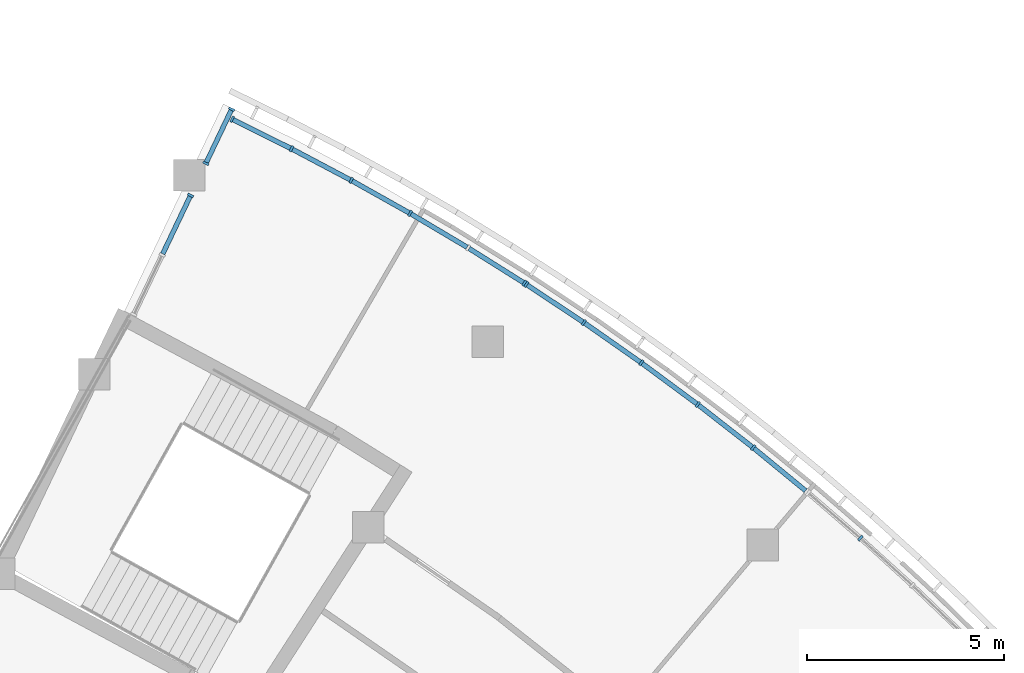
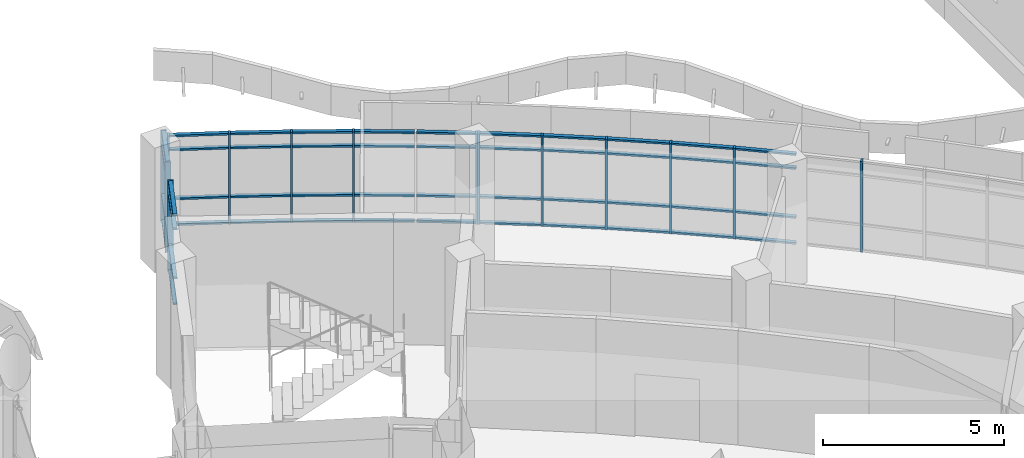
# One storey, part 17 of 109: 62 members, 5 elements without a shape of their own.
"""IFC4 building model written with IfcOpenShell, lengths in metres."""

import ifcopenshell
import ifcopenshell.guid

model = None  # the IFC model being written
_history = None  # IfcOwnerHistory: only IFC2X3 demands one
_inside = {}  # id of a spatial element -> (the spatial element, [elements in it])
_under = {}  # id of a project, library or spatial element -> (it, [spatial elements below it])
_declared = {}  # id of a project -> (the project, [libraries it declares])
_typed = {}  # id of a type object -> (the type object, [elements of that type])
_made_of = {}  # id of a material, layer set ... -> (it, [elements and type objects made of it])


def new_model(schema):
    """Start an empty IFC model of exactly this schema.

    Asked for "IFC4X3", IfcOpenShell would pick the latest addendum, in which some entities
    have other attributes; the version numbers below select the first issue.
    IFC2X3 requires an IfcOwnerHistory on every rooted entity: one is made here for all.
    """
    global model, _history
    if schema == "IFC4X3":
        model = ifcopenshell.file(schema_version=(4, 3, 0, 0))
    else:
        model = ifcopenshell.file(schema=schema)
    _inside.clear()
    _under.clear()
    _declared.clear()
    _typed.clear()
    _made_of.clear()
    _history = None
    if model.schema == "IFC2X3":
        org = make("IfcOrganization", Name="unknown")
        user = make(
            "IfcPersonAndOrganization",
            ThePerson=make("IfcPerson", FamilyName="unknown"),
            TheOrganization=org,
        )
        app = make(
            "IfcApplication",
            ApplicationDeveloper=org,
            Version="unknown",
            ApplicationFullName="unknown",
            ApplicationIdentifier="unknown",
        )
        _history = make(
            "IfcOwnerHistory",
            OwningUser=user,
            OwningApplication=app,
            ChangeAction="ADDED",
            CreationDate=0,
        )
    return model


def make(cls, **values):
    """One entity of the class cls with the attributes given. An attribute that is None is left unset."""
    return model.create_entity(
        cls, **{name: value for name, value in values.items() if value is not None}
    )


def rooted(cls, **values):
    """An entity with a GlobalId (a new one), such as an element, a storey or a relation."""
    return make(cls, GlobalId=ifcopenshell.guid.new(), OwnerHistory=_history, **values)


def si_unit(unit_type, name, prefix=None):
    """IfcSIUnit, for example si_unit("LENGTHUNIT", "METRE", prefix="MILLI")."""
    return make("IfcSIUnit", UnitType=unit_type, Prefix=prefix, Name=name)


def assignment(units):
    """IfcUnitAssignment: the units of a project."""
    return None if units is None else make("IfcUnitAssignment", Units=units)


def point(xyz):
    """IfcCartesianPoint."""
    return None if xyz is None else make("IfcCartesianPoint", Coordinates=xyz)


def direction(xyz):
    """IfcDirection."""
    return None if xyz is None else make("IfcDirection", DirectionRatios=xyz)


def frame(location, z_axis=None, x_axis=None):
    """IfcAxis2Placement3D, a coordinate frame: its origin and axes. An axis left out is left unset."""
    return make(
        "IfcAxis2Placement3D",
        Location=point(location),
        Axis=direction(z_axis),
        RefDirection=direction(x_axis),
    )


def frame_2d(location, x_axis=None):
    """IfcAxis2Placement2D, a coordinate frame in the plane: its origin and x axis."""
    return make(
        "IfcAxis2Placement2D", Location=point(location), RefDirection=direction(x_axis)
    )


def origin():
    """The frame at (0, 0, 0) with its axes left unset."""
    return frame((0.0, 0.0, 0.0))


def origin_2d():
    """The frame at (0, 0) in the plane with its x axis left unset."""
    return frame_2d((0.0, 0.0))


def place(relative_to, where):
    """IfcLocalPlacement: puts the frame where relative to a parent placement (None: the world)."""
    return make(
        "IfcLocalPlacement", PlacementRelTo=relative_to, RelativePlacement=where
    )


def context(
    kind, dimensions, precision=None, world=None, true_north=None, identifier=None
):
    """IfcGeometricRepresentationContext, for example the 3D "Model" context."""
    return make(
        "IfcGeometricRepresentationContext",
        ContextIdentifier=identifier,
        ContextType=kind,
        CoordinateSpaceDimension=dimensions,
        Precision=precision,
        WorldCoordinateSystem=world,
        TrueNorth=true_north,
    )


def subcontext(parent, identifier, kind, view, scale=None):
    """IfcGeometricRepresentationSubContext, for example "Body" below "Model"."""
    return make(
        "IfcGeometricRepresentationSubContext",
        ContextIdentifier=identifier,
        ContextType=kind,
        ParentContext=parent,
        TargetScale=scale,
        TargetView=view,
    )


def project(units=None, contexts=None):
    """IfcProject with its units and contexts."""
    return rooted(
        "IfcProject",
        Name="project",
        RepresentationContexts=contexts,
        UnitsInContext=assignment(units),
    )


def spatial(cls, under=None, at=None, **own):
    """A site, building, storey or space (cls), placed at a placement, below another one or the project."""
    s = rooted(cls, ObjectPlacement=at, **own)
    if under is not None:
        _under.setdefault(under.id(), (under, []))[1].append(s)
    return s


def profile(cls, at=None, kind="AREA", **sizes):
    """A parametric profile (cls). Its sizes go by their IFC names, for example OverallWidth=200.0."""
    return make(cls, ProfileType=kind, Position=at, **sizes)


def rectangle(**sizes):
    """IfcRectangleProfileDef."""
    return profile("IfcRectangleProfileDef", **sizes)


def extrude(swept, where, along, depth):
    """IfcExtrudedAreaSolid: the profile swept, set in the frame where, extruded along a direction by depth."""
    return make(
        "IfcExtrudedAreaSolid",
        SweptArea=swept,
        Position=where,
        ExtrudedDirection=direction(along),
        Depth=depth,
    )


def shape(context_of_items, identifier, shape_type, items):
    """IfcShapeRepresentation: the items that make up one representation, for example the "Body"."""
    return make(
        "IfcShapeRepresentation",
        ContextOfItems=context_of_items,
        RepresentationIdentifier=identifier,
        RepresentationType=shape_type,
        Items=items,
    )


def material(Name=None, Category=None):
    """IfcMaterial."""
    return make("IfcMaterial", Name=Name, Category=Category)


def material_profile(
    of_material, cross_section, Name=None, Category=None, Priority=None
):
    """IfcMaterialProfile: a cross section and its material."""
    return make(
        "IfcMaterialProfile",
        Name=Name,
        Material=of_material,
        Profile=cross_section,
        Priority=Priority,
        Category=Category,
    )


def profile_set(profiles, Name=None, composite=None):
    """IfcMaterialProfileSet."""
    return make(
        "IfcMaterialProfileSet",
        Name=Name,
        MaterialProfiles=profiles,
        CompositeProfile=composite,
    )


def made_of(thing, what):
    """Note that an element or type object is made of a material, layer set ...; save() writes the relation."""
    if what is not None:
        _made_of.setdefault(what.id(), (what, []))[1].append(thing)
    return thing


def type_object(cls, material=None, **own):
    """A type object (cls), such as IfcWallType, which elements share."""
    return made_of(rooted(cls, **own), material)


def element(
    cls,
    number,
    at=None,
    inside=None,
    cuts=None,
    type_object=None,
    material=None,
    context=None,
    identifier="Body",
    shape_type=None,
    held_by="IfcProductDefinitionShape",
    body=None,
    shapes=None,
    **own,
):
    """One element of the class cls, such as IfcWall. Its Tag is "e" and its number.

    at: its placement. inside: the storey or other place that contains it. cuts: it is an
    opening in that element (IfcRelVoidsElement). A single representation is given by context,
    identifier, shape_type and body (its items); several are given by shapes. held_by: the class
    of the entity that holds the representations. save() writes the other relations.
    """
    e = rooted(cls, Tag="e%d" % number, ObjectPlacement=at, **own)
    if body is not None:
        shapes = [shape(context, identifier, shape_type, body)]
    if shapes is not None:
        e.Representation = make(held_by, Representations=shapes)
    if inside is not None:
        _inside.setdefault(inside.id(), (inside, []))[1].append(e)
    if cuts is not None:
        rooted(
            "IfcRelVoidsElement", RelatingBuildingElement=cuts, RelatedOpeningElement=e
        )
    if type_object is not None:
        _typed.setdefault(type_object.id(), (type_object, []))[1].append(e)
    return made_of(e, material)


def aggregate(whole, parts):
    """IfcRelAggregates: a whole, such as a stair, and the parts it consists of."""
    return rooted("IfcRelAggregates", RelatingObject=whole, RelatedObjects=parts)


def save(model, path):
    """Write the relations noted so far, then the file.

    IfcRelAggregates (storeys below a building ...), IfcRelContainedInSpatialStructure (elements
    in a storey), IfcRelDefinesByType, IfcRelAssociatesMaterial and IfcRelDeclares: one each for
    every whole, place, type object, material and project.
    """
    for whole, parts in _under.values():
        aggregate(whole, parts)
    for where, things in _inside.values():
        rooted(
            "IfcRelContainedInSpatialStructure",
            RelatedElements=things,
            RelatingStructure=where,
        )
    for kind, things in _typed.values():
        rooted("IfcRelDefinesByType", RelatedObjects=things, RelatingType=kind)
    for what, things in _made_of.values():
        rooted("IfcRelAssociatesMaterial", RelatedObjects=things, RelatingMaterial=what)
    for by, libraries in _declared.values():
        rooted("IfcRelDeclares", RelatingContext=by, RelatedDefinitions=libraries)
    model.write(path)


model = new_model("IFC4")

# Units and contexts
model_context = context("Model", 3, precision=1e-05, world=origin(), true_north=direction((0.0, 1.0)))
body_context = subcontext(model_context, "Body", "Model", "MODEL_VIEW")
ifc_project = project(units=[si_unit("LENGTHUNIT", "METRE"), si_unit("AREAUNIT", "SQUARE_METRE"), si_unit("VOLUMEUNIT", "CUBIC_METRE"), si_unit("PLANEANGLEUNIT", "RADIAN"), si_unit("MASSUNIT", "GRAM", prefix="KILO")], contexts=[model_context])

# Site, building, storey
site_placement = place(None, origin())
site = spatial("IfcSite", under=ifc_project, at=site_placement, CompositionType="ELEMENT")
building_placement = place(site_placement, origin())
building = spatial("IfcBuilding", under=site, at=building_placement, Name="Bougainvillea Quay General Hospital", CompositionType="ELEMENT")
storey_placement = place(building_placement, frame((0.0, 0.0, 12.60009765625)))
storey = spatial("IfcBuildingStorey", under=building, at=storey_placement, Name="L02", CompositionType="ELEMENT", Elevation=12.60009765625)

# Curtain wall, members
ifc_material_1 = material(Name="Aluminium curtain wall system, powder-coated glazed", Category="aluminium")
curtain_wall_type_1 = type_object("IfcCurtainWallType", Name="Unitised curtain wall CW-2100", PredefinedType="NOTDEFINED", material=ifc_material_1)
curtain_wall_1_placement = place(storey_placement, origin())
curtain_wall_1 = element("IfcCurtainWall", 1, at=curtain_wall_1_placement, inside=storey, type_object=curtain_wall_type_1, Name="CW-E01 a23b0", PredefinedType="NOTDEFINED")
ifc_material_2 = material(Name="Aluminium mullion, powder-coated charcoal", Category="aluminium")
ifc_material_profile_1 = material_profile(ifc_material_2, rectangle(XDim=0.159912109375, YDim=0.06005859375, at=origin_2d()))
ifc_profile_set_1 = profile_set([ifc_material_profile_1], Name="Aluminium mullion, powder-coated charcoal")
member_type_1 = type_object("IfcMemberType", Name="Curtain wall mullion 160x60", PredefinedType="MULLION", material=ifc_profile_set_1)
member_1_placement = place(storey_placement, frame((139.560791015625, 84.795654296875, 0.0), z_axis=(0.0, 0.0, 1.0), x_axis=(0.445913540048, 0.895076038559, 0.0)))
member_1 = element("IfcMember", 2, at=member_1_placement, type_object=member_type_1, Name="CW-E01 mullion 1", PredefinedType="MULLION", context=body_context, shape_type="SweptSolid", body=[
    extrude(rectangle(XDim=0.159912109375, YDim=0.06005859375, at=origin_2d()), origin(), (0.0, 0.0, 1.0), 3.0498046875),
])
member_2_placement = place(storey_placement, frame((141.066650390625, 84.04541015625, 0.0), z_axis=(0.0, 0.0, 1.0), x_axis=(0.456867500117, 0.889534758926, 0.0)))
member_2 = element("IfcMember", 3, at=member_2_placement, type_object=member_type_1, Name="CW-E01 mullion 2", PredefinedType="MULLION", context=body_context, shape_type="SweptSolid", body=[
    extrude(rectangle(XDim=0.159912109375, YDim=0.06005859375, at=origin_2d()), origin(), (0.0, 0.0, 1.0), 3.0498046875),
])
member_3_placement = place(storey_placement, frame((142.580322265625, 83.244384765625, 0.0), z_axis=(0.0, 0.0, 1.0), x_axis=(0.478567236935, 0.878050909534, 0.0)))
member_3 = element("IfcMember", 4, at=member_3_placement, type_object=member_type_1, Name="CW-E01 mullion 3", PredefinedType="MULLION", context=body_context, shape_type="SweptSolid", body=[
    extrude(rectangle(XDim=0.159912109375, YDim=0.06005859375, at=origin_2d()), origin(), (0.0, 0.0, 1.0), 3.0498046875),
])
member_4_placement = place(storey_placement, frame((144.07373046875, 82.406494140625, 0.0), z_axis=(0.0, 0.0, 1.0), x_axis=(0.499978513836, 0.866037808472, 0.0)))
member_4 = element("IfcMember", 5, at=member_4_placement, type_object=member_type_1, Name="CW-E01 mullion 4", PredefinedType="MULLION", context=body_context, shape_type="SweptSolid", body=[
    extrude(rectangle(XDim=0.159912109375, YDim=0.06005859375, at=origin_2d()), origin(), (0.0, 0.0, 1.0), 3.0498046875),
])
member_5_placement = place(storey_placement, frame((146.97119140625, 80.637939453125, 0.0), z_axis=(0.0, 0.0, 1.0), x_axis=(0.531526384812, 0.847041735837, 0.0)))
member_5 = element("IfcMember", 6, at=member_5_placement, type_object=member_type_1, Name="CW-E01 mullion 6", PredefinedType="MULLION", context=body_context, shape_type="SweptSolid", body=[
    extrude(rectangle(XDim=0.159912109375, YDim=0.06005859375, at=origin_2d()), origin(), (0.0, 0.0, 1.0), 3.0498046875),
])

curtain_wall_2_placement = place(storey_placement, origin())
curtain_wall_2 = element("IfcCurtainWall", 7, at=curtain_wall_2_placement, inside=storey, type_object=curtain_wall_type_1, Name="CW-E02 a23b1", PredefinedType="NOTDEFINED")
member_6_placement = place(storey_placement, frame((147.021728515625, 80.60546875, 0.0), z_axis=(0.0, 0.0, 1.0), x_axis=(0.552565563465, 0.833469434396, 0.0)))
member_6 = element("IfcMember", 8, at=member_6_placement, type_object=member_type_1, Name="CW-E02 mullion 1", PredefinedType="MULLION", context=body_context, shape_type="SweptSolid", body=[
    extrude(rectangle(XDim=0.159912109375, YDim=0.06005859375, at=origin_2d()), origin(), (0.0, 0.0, 1.0), 3.0498046875),
])
member_7_placement = place(storey_placement, frame((148.48046875, 79.63818359375, 0.0), z_axis=(0.0, 0.0, 1.0), x_axis=(0.56315688844, 0.826349997884, 0.0)))
member_7 = element("IfcMember", 9, at=member_7_placement, type_object=member_type_1, Name="CW-E02 mullion 2", PredefinedType="MULLION", context=body_context, shape_type="SweptSolid", body=[
    extrude(rectangle(XDim=0.159912109375, YDim=0.06005859375, at=origin_2d()), origin(), (0.0, 0.0, 1.0), 3.0498046875),
])
member_8_placement = place(storey_placement, frame((149.938720703125, 78.616943359375, 0.0), z_axis=(0.0, 0.0, 1.0), x_axis=(0.584062676911, 0.811708561886, 0.0)))
member_8 = element("IfcMember", 10, at=member_8_placement, type_object=member_type_1, Name="CW-E02 mullion 3", PredefinedType="MULLION", context=body_context, shape_type="SweptSolid", body=[
    extrude(rectangle(XDim=0.159912109375, YDim=0.06005859375, at=origin_2d()), origin(), (0.0, 0.0, 1.0), 3.0498046875),
])
member_9_placement = place(storey_placement, frame((151.370361328125, 77.558837890625, 0.0), z_axis=(0.0, 0.0, 1.0), x_axis=(0.604587993148, 0.796538359743, 0.0)))
member_9 = element("IfcMember", 11, at=member_9_placement, type_object=member_type_1, Name="CW-E02 mullion 4", PredefinedType="MULLION", context=body_context, shape_type="SweptSolid", body=[
    extrude(rectangle(XDim=0.159912109375, YDim=0.06005859375, at=origin_2d()), origin(), (0.0, 0.0, 1.0), 3.0498046875),
])
member_10_placement = place(storey_placement, frame((152.7744140625, 76.464599609375, 0.0), z_axis=(0.0, 0.0, 1.0), x_axis=(0.624719466473, 0.780849273682, 0.0)))
member_10 = element("IfcMember", 12, at=member_10_placement, type_object=member_type_1, Name="CW-E02 mullion 5", PredefinedType="MULLION", context=body_context, shape_type="SweptSolid", body=[
    extrude(rectangle(XDim=0.159912109375, YDim=0.06005859375, at=origin_2d()), origin(), (0.0, 0.0, 1.0), 3.0498046875),
])

# Curtain wall, member
curtain_wall_3_placement = place(storey_placement, origin())
curtain_wall_3 = element("IfcCurtainWall", 13, at=curtain_wall_3_placement, inside=storey, type_object=curtain_wall_type_1, Name="CW-E03 a23b2", PredefinedType="NOTDEFINED")
member_11_placement = place(storey_placement, frame((155.496826171875, 74.170166015625, 0.0), z_axis=(0.0, 0.0, 1.0), x_axis=(0.663748693022, 0.747955662129, 0.0)))
member_11 = element("IfcMember", 14, at=member_11_placement, type_object=member_type_1, Name="CW-E03 mullion 2", PredefinedType="MULLION", context=body_context, shape_type="SweptSolid", body=[
    extrude(rectangle(XDim=0.159912109375, YDim=0.06005859375, at=origin_2d()), origin(), (0.0, 0.0, 1.0), 3.0498046875),
])
aggregate(curtain_wall_3, [member_11])

# Curtain wall, members
curtain_wall_type_2 = type_object("IfcCurtainWallType", Name="Unitised curtain wall CW-1580", PredefinedType="NOTDEFINED", material=ifc_material_1)
curtain_wall_4_placement = place(storey_placement, origin())
curtain_wall_4 = element("IfcCurtainWall", 15, at=curtain_wall_4_placement, inside=storey, type_object=curtain_wall_type_2, Name="CW-AE 00", PredefinedType="NOTDEFINED")
member_12_placement = place(storey_placement, frame((139.548828125, 85.04638671875, 0.0), z_axis=(0.0, 0.0, 1.0), x_axis=(0.902576055431, -0.430530445105, 0.0)))
member_12 = element("IfcMember", 16, at=member_12_placement, type_object=member_type_1, Name="CW-AE mullion 1", PredefinedType="MULLION", context=body_context, shape_type="SweptSolid", body=[
    extrude(rectangle(XDim=0.159912109375, YDim=0.06005859375, at=origin_2d()), origin(), (0.0, 0.0, 1.0), 3.0498046875),
])
member_13_placement = place(storey_placement, frame((138.894287109375, 83.674560546875, 0.0), z_axis=(0.0, 0.0, 1.0), x_axis=(0.902576055431, -0.430530445105, 0.0)))
member_13 = element("IfcMember", 17, at=member_13_placement, type_object=member_type_1, Name="CW-AE mullion 2", PredefinedType="MULLION", context=body_context, shape_type="SweptSolid", body=[
    extrude(rectangle(XDim=0.159912109375, YDim=0.06005859375, at=origin_2d()), origin(), (0.0, 0.0, 1.0), 3.0498046875),
])

# Curtain wall, member
curtain_wall_type_3 = type_object("IfcCurtainWallType", Name="Unitised curtain wall CW-1703", PredefinedType="NOTDEFINED", material=ifc_material_1)
curtain_wall_5_placement = place(storey_placement, origin())
curtain_wall_5 = element("IfcCurtainWall", 18, at=curtain_wall_5_placement, inside=storey, type_object=curtain_wall_type_3, Name="CW-AE 01", PredefinedType="NOTDEFINED")
member_14_placement = place(storey_placement, frame((138.5068359375, 82.8623046875, 0.0), z_axis=(0.0, 0.0, 1.0), x_axis=(0.902576055431, -0.430530445105, 0.0)))
member_14 = element("IfcMember", 19, at=member_14_placement, type_object=member_type_1, Name="CW-AE mullion 1", PredefinedType="MULLION", context=body_context, shape_type="SweptSolid", body=[
    extrude(rectangle(XDim=0.159912109375, YDim=0.06005859375, at=origin_2d()), origin(), (0.0, 0.0, 1.0), 3.0498046875),
])

# Member
ifc_material_3 = material(Name="Aluminium transom, powder-coated charcoal", Category="aluminium")
ifc_material_profile_2 = material_profile(ifc_material_3, rectangle(XDim=0.1201171875, YDim=0.06005859375, at=origin_2d()))
ifc_profile_set_2 = profile_set([ifc_material_profile_2], Name="Aluminium transom, powder-coated charcoal")
member_type_2 = type_object("IfcMemberType", Name="Curtain wall transom 120x60", PredefinedType="USERDEFINED", material=ifc_profile_set_2)
member_15_placement = place(storey_placement, frame((139.587646484375, 84.7822265625, 0.02978515625), z_axis=(0.89508834729, -0.445888832048, 0.0), x_axis=(0.445888832048, 0.89508834729, 0.0)))
member_15 = element("IfcMember", 20, at=member_15_placement, type_object=member_type_2, Name="CW-E01 transom 1.1", ObjectType="TRANSOM", PredefinedType="USERDEFINED", context=body_context, shape_type="SweptSolid", body=[
    extrude(rectangle(XDim=0.1201171875, YDim=0.06005859375, at=origin_2d()), origin(), (0.0, 0.0, 1.0), 1.622314453125),
])

member_16_placement = place(storey_placement, frame((139.587646484375, 84.7822265625, 0.89990234375), z_axis=(0.89508834729, -0.445888832048, 0.0), x_axis=(0.445888832048, 0.89508834729, 0.0)))
member_16 = element("IfcMember", 21, at=member_16_placement, type_object=member_type_2, Name="CW-E01 transom 1.2", ObjectType="TRANSOM", PredefinedType="USERDEFINED", context=body_context, shape_type="SweptSolid", body=[
    extrude(rectangle(XDim=0.1201171875, YDim=0.06005859375, at=origin_2d()), origin(), (0.0, 0.0, 1.0), 1.622314453125),
])

member_17_placement = place(storey_placement, frame((139.587646484375, 84.7822265625, 2.5498046875), z_axis=(0.89508834729, -0.445888832048, 0.0), x_axis=(0.445888832048, 0.89508834729, 0.0)))
member_17 = element("IfcMember", 22, at=member_17_placement, type_object=member_type_2, Name="CW-E01 transom 1.3", ObjectType="TRANSOM", PredefinedType="USERDEFINED", context=body_context, shape_type="SweptSolid", body=[
    extrude(rectangle(XDim=0.1201171875, YDim=0.06005859375, at=origin_2d()), origin(), (0.0, 0.0, 1.0), 1.622314453125),
])

member_18_placement = place(storey_placement, frame((139.587646484375, 84.7822265625, 3.02001953125), z_axis=(0.89508834729, -0.445888832048, 0.0), x_axis=(0.445888832048, 0.89508834729, 0.0)))
member_18 = element("IfcMember", 23, at=member_18_placement, type_object=member_type_2, Name="CW-E01 transom 1.4", ObjectType="TRANSOM", PredefinedType="USERDEFINED", context=body_context, shape_type="SweptSolid", body=[
    extrude(rectangle(XDim=0.1201171875, YDim=0.06005859375, at=origin_2d()), origin(), (0.0, 0.0, 1.0), 1.622314453125),
])

member_19_placement = place(storey_placement, frame((141.09326171875, 84.031494140625, 0.02978515625), z_axis=(0.883845412695, -0.467779100066, 0.0), x_axis=(0.467779100066, 0.883845412695, 0.0)))
member_19 = element("IfcMember", 24, at=member_19_placement, type_object=member_type_2, Name="CW-E01 transom 2.1", ObjectType="TRANSOM", PredefinedType="USERDEFINED", context=body_context, shape_type="SweptSolid", body=[
    extrude(rectangle(XDim=0.1201171875, YDim=0.06005859375, at=origin_2d()), origin(), (0.0, 0.0, 1.0), 1.65234375),
])

member_20_placement = place(storey_placement, frame((141.09326171875, 84.031494140625, 0.89990234375), z_axis=(0.883845412695, -0.467779100066, 0.0), x_axis=(0.467779100066, 0.883845412695, 0.0)))
member_20 = element("IfcMember", 25, at=member_20_placement, type_object=member_type_2, Name="CW-E01 transom 2.2", ObjectType="TRANSOM", PredefinedType="USERDEFINED", context=body_context, shape_type="SweptSolid", body=[
    extrude(rectangle(XDim=0.1201171875, YDim=0.06005859375, at=origin_2d()), origin(), (0.0, 0.0, 1.0), 1.65234375),
])

member_21_placement = place(storey_placement, frame((141.09326171875, 84.031494140625, 2.5498046875), z_axis=(0.883845412695, -0.467779100066, 0.0), x_axis=(0.467779100066, 0.883845412695, 0.0)))
member_21 = element("IfcMember", 26, at=member_21_placement, type_object=member_type_2, Name="CW-E01 transom 2.3", ObjectType="TRANSOM", PredefinedType="USERDEFINED", context=body_context, shape_type="SweptSolid", body=[
    extrude(rectangle(XDim=0.1201171875, YDim=0.06005859375, at=origin_2d()), origin(), (0.0, 0.0, 1.0), 1.65234375),
])

member_22_placement = place(storey_placement, frame((141.09326171875, 84.031494140625, 3.02001953125), z_axis=(0.883845412695, -0.467779100066, 0.0), x_axis=(0.467779100066, 0.883845412695, 0.0)))
member_22 = element("IfcMember", 27, at=member_22_placement, type_object=member_type_2, Name="CW-E01 transom 2.4", ObjectType="TRANSOM", PredefinedType="USERDEFINED", context=body_context, shape_type="SweptSolid", body=[
    extrude(rectangle(XDim=0.1201171875, YDim=0.06005859375, at=origin_2d()), origin(), (0.0, 0.0, 1.0), 1.65234375),
])

member_23_placement = place(storey_placement, frame((142.6064453125, 83.229736328125, 0.02978515625), z_axis=(0.872107674889, -0.489314013084, 0.0), x_axis=(0.489314013084, 0.872107674889, 0.0)))
member_23 = element("IfcMember", 28, at=member_23_placement, type_object=member_type_2, Name="CW-E01 transom 3.1", ObjectType="TRANSOM", PredefinedType="USERDEFINED", context=body_context, shape_type="SweptSolid", body=[
    extrude(rectangle(XDim=0.1201171875, YDim=0.06005859375, at=origin_2d()), origin(), (0.0, 0.0, 1.0), 1.652587890625),
])

member_24_placement = place(storey_placement, frame((142.6064453125, 83.229736328125, 0.89990234375), z_axis=(0.872107674889, -0.489314013084, 0.0), x_axis=(0.489314013084, 0.872107674889, 0.0)))
member_24 = element("IfcMember", 29, at=member_24_placement, type_object=member_type_2, Name="CW-E01 transom 3.2", ObjectType="TRANSOM", PredefinedType="USERDEFINED", context=body_context, shape_type="SweptSolid", body=[
    extrude(rectangle(XDim=0.1201171875, YDim=0.06005859375, at=origin_2d()), origin(), (0.0, 0.0, 1.0), 1.652587890625),
])

member_25_placement = place(storey_placement, frame((142.6064453125, 83.229736328125, 2.5498046875), z_axis=(0.872107674889, -0.489314013084, 0.0), x_axis=(0.489314013084, 0.872107674889, 0.0)))
member_25 = element("IfcMember", 30, at=member_25_placement, type_object=member_type_2, Name="CW-E01 transom 3.3", ObjectType="TRANSOM", PredefinedType="USERDEFINED", context=body_context, shape_type="SweptSolid", body=[
    extrude(rectangle(XDim=0.1201171875, YDim=0.06005859375, at=origin_2d()), origin(), (0.0, 0.0, 1.0), 1.652587890625),
])

member_26_placement = place(storey_placement, frame((142.6064453125, 83.229736328125, 3.02001953125), z_axis=(0.872107674889, -0.489314013084, 0.0), x_axis=(0.489314013084, 0.872107674889, 0.0)))
member_26 = element("IfcMember", 31, at=member_26_placement, type_object=member_type_2, Name="CW-E01 transom 3.4", ObjectType="TRANSOM", PredefinedType="USERDEFINED", context=body_context, shape_type="SweptSolid", body=[
    extrude(rectangle(XDim=0.1201171875, YDim=0.06005859375, at=origin_2d()), origin(), (0.0, 0.0, 1.0), 1.652587890625),
])

member_27_placement = place(storey_placement, frame((144.099609375, 82.39111328125, 0.02978515625), z_axis=(0.859856770964, -0.510535340038, 0.0), x_axis=(0.510535340038, 0.859856770964, 0.0)))
member_27 = element("IfcMember", 32, at=member_27_placement, type_object=member_type_2, Name="CW-E01 transom 4.1", ObjectType="TRANSOM", PredefinedType="USERDEFINED", context=body_context, shape_type="SweptSolid", body=[
    extrude(rectangle(XDim=0.1201171875, YDim=0.06005859375, at=origin_2d()), origin(), (0.0, 0.0, 1.0), 1.652099609375),
])

member_28_placement = place(storey_placement, frame((144.099609375, 82.39111328125, 0.89990234375), z_axis=(0.859856770964, -0.510535340038, 0.0), x_axis=(0.510535340038, 0.859856770964, 0.0)))
member_28 = element("IfcMember", 33, at=member_28_placement, type_object=member_type_2, Name="CW-E01 transom 4.2", ObjectType="TRANSOM", PredefinedType="USERDEFINED", context=body_context, shape_type="SweptSolid", body=[
    extrude(rectangle(XDim=0.1201171875, YDim=0.06005859375, at=origin_2d()), origin(), (0.0, 0.0, 1.0), 1.652099609375),
])

member_29_placement = place(storey_placement, frame((144.099609375, 82.39111328125, 2.5498046875), z_axis=(0.859856770964, -0.510535340038, 0.0), x_axis=(0.510535340038, 0.859856770964, 0.0)))
member_29 = element("IfcMember", 34, at=member_29_placement, type_object=member_type_2, Name="CW-E01 transom 4.3", ObjectType="TRANSOM", PredefinedType="USERDEFINED", context=body_context, shape_type="SweptSolid", body=[
    extrude(rectangle(XDim=0.1201171875, YDim=0.06005859375, at=origin_2d()), origin(), (0.0, 0.0, 1.0), 1.652099609375),
])

member_30_placement = place(storey_placement, frame((144.099609375, 82.39111328125, 3.02001953125), z_axis=(0.859856770964, -0.510535340038, 0.0), x_axis=(0.510535340038, 0.859856770964, 0.0)))
member_30 = element("IfcMember", 35, at=member_30_placement, type_object=member_type_2, Name="CW-E01 transom 4.4", ObjectType="TRANSOM", PredefinedType="USERDEFINED", context=body_context, shape_type="SweptSolid", body=[
    extrude(rectangle(XDim=0.1201171875, YDim=0.06005859375, at=origin_2d()), origin(), (0.0, 0.0, 1.0), 1.652099609375),
])

member_31_placement = place(storey_placement, frame((145.571533203125, 81.516357421875, 0.02978515625), z_axis=(0.846990831141, -0.531607498032, 0.0), x_axis=(0.531607498032, 0.846990831141, 0.0)))
member_31 = element("IfcMember", 36, at=member_31_placement, type_object=member_type_2, Name="CW-E01 transom 5.1", ObjectType="TRANSOM", PredefinedType="USERDEFINED", context=body_context, shape_type="SweptSolid", body=[
    extrude(rectangle(XDim=0.1201171875, YDim=0.06005859375, at=origin_2d()), origin(), (0.0, 0.0, 1.0), 1.62255859375),
])

member_32_placement = place(storey_placement, frame((145.571533203125, 81.516357421875, 0.89990234375), z_axis=(0.846990831141, -0.531607498032, 0.0), x_axis=(0.531607498032, 0.846990831141, 0.0)))
member_32 = element("IfcMember", 37, at=member_32_placement, type_object=member_type_2, Name="CW-E01 transom 5.2", ObjectType="TRANSOM", PredefinedType="USERDEFINED", context=body_context, shape_type="SweptSolid", body=[
    extrude(rectangle(XDim=0.1201171875, YDim=0.06005859375, at=origin_2d()), origin(), (0.0, 0.0, 1.0), 1.62255859375),
])

member_33_placement = place(storey_placement, frame((145.571533203125, 81.516357421875, 2.5498046875), z_axis=(0.846990831141, -0.531607498032, 0.0), x_axis=(0.531607498032, 0.846990831141, 0.0)))
member_33 = element("IfcMember", 38, at=member_33_placement, type_object=member_type_2, Name="CW-E01 transom 5.3", ObjectType="TRANSOM", PredefinedType="USERDEFINED", context=body_context, shape_type="SweptSolid", body=[
    extrude(rectangle(XDim=0.1201171875, YDim=0.06005859375, at=origin_2d()), origin(), (0.0, 0.0, 1.0), 1.62255859375),
])

member_34_placement = place(storey_placement, frame((145.571533203125, 81.516357421875, 3.02001953125), z_axis=(0.846990831141, -0.531607498032, 0.0), x_axis=(0.531607498032, 0.846990831141, 0.0)))
member_34 = element("IfcMember", 39, at=member_34_placement, type_object=member_type_2, Name="CW-E01 transom 5.4", ObjectType="TRANSOM", PredefinedType="USERDEFINED", context=body_context, shape_type="SweptSolid", body=[
    extrude(rectangle(XDim=0.1201171875, YDim=0.06005859375, at=origin_2d()), origin(), (0.0, 0.0, 1.0), 1.62255859375),
])

aggregate(curtain_wall_1, [member_1, member_2, member_3, member_4, member_5, member_15, member_16, member_17, member_18, member_19, member_20, member_21, member_22, member_23, member_24, member_25, member_26, member_27, member_28, member_29, member_30, member_31, member_32, member_33, member_34])

member_35_placement = place(storey_placement, frame((147.046630859375, 80.5888671875, 0.02978515625), z_axis=(0.833469578901, -0.552565345499, 0.0), x_axis=(0.552565345499, 0.833469578901, 0.0)))
member_35 = element("IfcMember", 40, at=member_35_placement, type_object=member_type_2, Name="CW-E02 transom 1.1", ObjectType="TRANSOM", PredefinedType="USERDEFINED", context=body_context, shape_type="SweptSolid", body=[
    extrude(rectangle(XDim=0.1201171875, YDim=0.06005859375, at=origin_2d()), origin(), (0.0, 0.0, 1.0), 1.6904296875),
])

member_36_placement = place(storey_placement, frame((147.046630859375, 80.5888671875, 0.89990234375), z_axis=(0.833469578901, -0.552565345499, 0.0), x_axis=(0.552565345499, 0.833469578901, 0.0)))
member_36 = element("IfcMember", 41, at=member_36_placement, type_object=member_type_2, Name="CW-E02 transom 1.2", ObjectType="TRANSOM", PredefinedType="USERDEFINED", context=body_context, shape_type="SweptSolid", body=[
    extrude(rectangle(XDim=0.1201171875, YDim=0.06005859375, at=origin_2d()), origin(), (0.0, 0.0, 1.0), 1.6904296875),
])

member_37_placement = place(storey_placement, frame((147.046630859375, 80.5888671875, 2.5498046875), z_axis=(0.833469578901, -0.552565345499, 0.0), x_axis=(0.552565345499, 0.833469578901, 0.0)))
member_37 = element("IfcMember", 42, at=member_37_placement, type_object=member_type_2, Name="CW-E02 transom 1.3", ObjectType="TRANSOM", PredefinedType="USERDEFINED", context=body_context, shape_type="SweptSolid", body=[
    extrude(rectangle(XDim=0.1201171875, YDim=0.06005859375, at=origin_2d()), origin(), (0.0, 0.0, 1.0), 1.6904296875),
])

member_38_placement = place(storey_placement, frame((147.046630859375, 80.5888671875, 3.02001953125), z_axis=(0.833469578901, -0.552565345499, 0.0), x_axis=(0.552565345499, 0.833469578901, 0.0)))
member_38 = element("IfcMember", 43, at=member_38_placement, type_object=member_type_2, Name="CW-E02 transom 1.4", ObjectType="TRANSOM", PredefinedType="USERDEFINED", context=body_context, shape_type="SweptSolid", body=[
    extrude(rectangle(XDim=0.1201171875, YDim=0.06005859375, at=origin_2d()), origin(), (0.0, 0.0, 1.0), 1.6904296875),
])

member_39_placement = place(storey_placement, frame((148.505126953125, 79.62109375, 0.02978515625), z_axis=(0.819078530526, -0.573681410568, 0.0), x_axis=(0.573681410568, 0.819078530526, 0.0)))
member_39 = element("IfcMember", 44, at=member_39_placement, type_object=member_type_2, Name="CW-E02 transom 2.1", ObjectType="TRANSOM", PredefinedType="USERDEFINED", context=body_context, shape_type="SweptSolid", body=[
    extrude(rectangle(XDim=0.1201171875, YDim=0.06005859375, at=origin_2d()), origin(), (0.0, 0.0, 1.0), 1.72021484375),
])

member_40_placement = place(storey_placement, frame((148.505126953125, 79.62109375, 0.89990234375), z_axis=(0.819078530526, -0.573681410568, 0.0), x_axis=(0.573681410568, 0.819078530526, 0.0)))
member_40 = element("IfcMember", 45, at=member_40_placement, type_object=member_type_2, Name="CW-E02 transom 2.2", ObjectType="TRANSOM", PredefinedType="USERDEFINED", context=body_context, shape_type="SweptSolid", body=[
    extrude(rectangle(XDim=0.1201171875, YDim=0.06005859375, at=origin_2d()), origin(), (0.0, 0.0, 1.0), 1.72021484375),
])

member_41_placement = place(storey_placement, frame((148.505126953125, 79.62109375, 2.5498046875), z_axis=(0.819078530526, -0.573681410568, 0.0), x_axis=(0.573681410568, 0.819078530526, 0.0)))
member_41 = element("IfcMember", 46, at=member_41_placement, type_object=member_type_2, Name="CW-E02 transom 2.3", ObjectType="TRANSOM", PredefinedType="USERDEFINED", context=body_context, shape_type="SweptSolid", body=[
    extrude(rectangle(XDim=0.1201171875, YDim=0.06005859375, at=origin_2d()), origin(), (0.0, 0.0, 1.0), 1.72021484375),
])

member_42_placement = place(storey_placement, frame((148.505126953125, 79.62109375, 3.02001953125), z_axis=(0.819078530526, -0.573681410568, 0.0), x_axis=(0.573681410568, 0.819078530526, 0.0)))
member_42 = element("IfcMember", 47, at=member_42_placement, type_object=member_type_2, Name="CW-E02 transom 2.4", ObjectType="TRANSOM", PredefinedType="USERDEFINED", context=body_context, shape_type="SweptSolid", body=[
    extrude(rectangle(XDim=0.1201171875, YDim=0.06005859375, at=origin_2d()), origin(), (0.0, 0.0, 1.0), 1.72021484375),
])

member_43_placement = place(storey_placement, frame((149.962890625, 78.59912109375, 0.02978515625), z_axis=(0.804170242173, -0.594399042397, 0.0), x_axis=(0.594399042397, 0.804170242173, 0.0)))
member_43 = element("IfcMember", 48, at=member_43_placement, type_object=member_type_2, Name="CW-E02 transom 3.1", ObjectType="TRANSOM", PredefinedType="USERDEFINED", context=body_context, shape_type="SweptSolid", body=[
    extrude(rectangle(XDim=0.1201171875, YDim=0.06005859375, at=origin_2d()), origin(), (0.0, 0.0, 1.0), 1.72021484375),
])

member_44_placement = place(storey_placement, frame((149.962890625, 78.59912109375, 0.89990234375), z_axis=(0.804170242173, -0.594399042397, 0.0), x_axis=(0.594399042397, 0.804170242173, 0.0)))
member_44 = element("IfcMember", 49, at=member_44_placement, type_object=member_type_2, Name="CW-E02 transom 3.2", ObjectType="TRANSOM", PredefinedType="USERDEFINED", context=body_context, shape_type="SweptSolid", body=[
    extrude(rectangle(XDim=0.1201171875, YDim=0.06005859375, at=origin_2d()), origin(), (0.0, 0.0, 1.0), 1.72021484375),
])

member_45_placement = place(storey_placement, frame((149.962890625, 78.59912109375, 2.5498046875), z_axis=(0.804170242173, -0.594399042397, 0.0), x_axis=(0.594399042397, 0.804170242173, 0.0)))
member_45 = element("IfcMember", 50, at=member_45_placement, type_object=member_type_2, Name="CW-E02 transom 3.3", ObjectType="TRANSOM", PredefinedType="USERDEFINED", context=body_context, shape_type="SweptSolid", body=[
    extrude(rectangle(XDim=0.1201171875, YDim=0.06005859375, at=origin_2d()), origin(), (0.0, 0.0, 1.0), 1.72021484375),
])

member_46_placement = place(storey_placement, frame((149.962890625, 78.59912109375, 3.02001953125), z_axis=(0.804170242173, -0.594399042397, 0.0), x_axis=(0.594399042397, 0.804170242173, 0.0)))
member_46 = element("IfcMember", 51, at=member_46_placement, type_object=member_type_2, Name="CW-E02 transom 3.4", ObjectType="TRANSOM", PredefinedType="USERDEFINED", context=body_context, shape_type="SweptSolid", body=[
    extrude(rectangle(XDim=0.1201171875, YDim=0.06005859375, at=origin_2d()), origin(), (0.0, 0.0, 1.0), 1.72021484375),
])

member_47_placement = place(storey_placement, frame((151.39404296875, 77.54052734375, 0.02978515625), z_axis=(0.788740407728, -0.614726418188, 0.0), x_axis=(0.614726418188, 0.788740407728, 0.0)))
member_47 = element("IfcMember", 52, at=member_47_placement, type_object=member_type_2, Name="CW-E02 transom 4.1", ObjectType="TRANSOM", PredefinedType="USERDEFINED", context=body_context, shape_type="SweptSolid", body=[
    extrude(rectangle(XDim=0.1201171875, YDim=0.06005859375, at=origin_2d()), origin(), (0.0, 0.0, 1.0), 1.719970703125),
])

member_48_placement = place(storey_placement, frame((151.39404296875, 77.54052734375, 0.89990234375), z_axis=(0.788740407728, -0.614726418188, 0.0), x_axis=(0.614726418188, 0.788740407728, 0.0)))
member_48 = element("IfcMember", 53, at=member_48_placement, type_object=member_type_2, Name="CW-E02 transom 4.2", ObjectType="TRANSOM", PredefinedType="USERDEFINED", context=body_context, shape_type="SweptSolid", body=[
    extrude(rectangle(XDim=0.1201171875, YDim=0.06005859375, at=origin_2d()), origin(), (0.0, 0.0, 1.0), 1.719970703125),
])

member_49_placement = place(storey_placement, frame((151.39404296875, 77.54052734375, 2.5498046875), z_axis=(0.788740407728, -0.614726418188, 0.0), x_axis=(0.614726418188, 0.788740407728, 0.0)))
member_49 = element("IfcMember", 54, at=member_49_placement, type_object=member_type_2, Name="CW-E02 transom 4.3", ObjectType="TRANSOM", PredefinedType="USERDEFINED", context=body_context, shape_type="SweptSolid", body=[
    extrude(rectangle(XDim=0.1201171875, YDim=0.06005859375, at=origin_2d()), origin(), (0.0, 0.0, 1.0), 1.719970703125),
])

member_50_placement = place(storey_placement, frame((151.39404296875, 77.54052734375, 3.02001953125), z_axis=(0.788740407728, -0.614726418188, 0.0), x_axis=(0.614726418188, 0.788740407728, 0.0)))
member_50 = element("IfcMember", 55, at=member_50_placement, type_object=member_type_2, Name="CW-E02 transom 4.4", ObjectType="TRANSOM", PredefinedType="USERDEFINED", context=body_context, shape_type="SweptSolid", body=[
    extrude(rectangle(XDim=0.1201171875, YDim=0.06005859375, at=origin_2d()), origin(), (0.0, 0.0, 1.0), 1.719970703125),
])

member_51_placement = place(storey_placement, frame((152.797607421875, 76.445556640625, 0.02978515625), z_axis=(0.7728299722, -0.634613137329, 0.0), x_axis=(0.634613137329, 0.7728299722, 0.0)))
member_51 = element("IfcMember", 56, at=member_51_placement, type_object=member_type_2, Name="CW-E02 transom 5.1", ObjectType="TRANSOM", PredefinedType="USERDEFINED", context=body_context, shape_type="SweptSolid", body=[
    extrude(rectangle(XDim=0.1201171875, YDim=0.06005859375, at=origin_2d()), origin(), (0.0, 0.0, 1.0), 1.6904296875),
])

member_52_placement = place(storey_placement, frame((152.797607421875, 76.445556640625, 0.89990234375), z_axis=(0.7728299722, -0.634613137329, 0.0), x_axis=(0.634613137329, 0.7728299722, 0.0)))
member_52 = element("IfcMember", 57, at=member_52_placement, type_object=member_type_2, Name="CW-E02 transom 5.2", ObjectType="TRANSOM", PredefinedType="USERDEFINED", context=body_context, shape_type="SweptSolid", body=[
    extrude(rectangle(XDim=0.1201171875, YDim=0.06005859375, at=origin_2d()), origin(), (0.0, 0.0, 1.0), 1.6904296875),
])

member_53_placement = place(storey_placement, frame((152.797607421875, 76.445556640625, 2.5498046875), z_axis=(0.7728299722, -0.634613137329, 0.0), x_axis=(0.634613137329, 0.7728299722, 0.0)))
member_53 = element("IfcMember", 58, at=member_53_placement, type_object=member_type_2, Name="CW-E02 transom 5.3", ObjectType="TRANSOM", PredefinedType="USERDEFINED", context=body_context, shape_type="SweptSolid", body=[
    extrude(rectangle(XDim=0.1201171875, YDim=0.06005859375, at=origin_2d()), origin(), (0.0, 0.0, 1.0), 1.6904296875),
])

member_54_placement = place(storey_placement, frame((152.797607421875, 76.445556640625, 3.02001953125), z_axis=(0.7728299722, -0.634613137329, 0.0), x_axis=(0.634613137329, 0.7728299722, 0.0)))
member_54 = element("IfcMember", 59, at=member_54_placement, type_object=member_type_2, Name="CW-E02 transom 5.4", ObjectType="TRANSOM", PredefinedType="USERDEFINED", context=body_context, shape_type="SweptSolid", body=[
    extrude(rectangle(XDim=0.1201171875, YDim=0.06005859375, at=origin_2d()), origin(), (0.0, 0.0, 1.0), 1.6904296875),
])

aggregate(curtain_wall_2, [member_6, member_7, member_8, member_9, member_10, member_35, member_36, member_37, member_38, member_39, member_40, member_41, member_42, member_43, member_44, member_45, member_46, member_47, member_48, member_49, member_50, member_51, member_52, member_53, member_54])

member_55_placement = place(storey_placement, frame((139.535888671875, 85.019287109375, 0.02978515625), z_axis=(-0.430615048018, -0.902535694818, 0.0), x_axis=(0.902535694818, -0.430615048018, 0.0)))
member_55 = element("IfcMember", 60, at=member_55_placement, type_object=member_type_2, Name="CW-AE transom 1.1", ObjectType="TRANSOM", PredefinedType="USERDEFINED", context=body_context, shape_type="SweptSolid", body=[
    extrude(rectangle(XDim=0.1201171875, YDim=0.06005859375, at=origin_2d()), origin(), (0.0, 0.0, 1.0), 1.4599609375),
])

member_56_placement = place(storey_placement, frame((139.535888671875, 85.019287109375, 0.89990234375), z_axis=(-0.430615048018, -0.902535694818, 0.0), x_axis=(0.902535694818, -0.430615048018, 0.0)))
member_56 = element("IfcMember", 61, at=member_56_placement, type_object=member_type_2, Name="CW-AE transom 1.2", ObjectType="TRANSOM", PredefinedType="USERDEFINED", context=body_context, shape_type="SweptSolid", body=[
    extrude(rectangle(XDim=0.1201171875, YDim=0.06005859375, at=origin_2d()), origin(), (0.0, 0.0, 1.0), 1.4599609375),
])

member_57_placement = place(storey_placement, frame((139.535888671875, 85.019287109375, 2.5498046875), z_axis=(-0.430615048018, -0.902535694818, 0.0), x_axis=(0.902535694818, -0.430615048018, 0.0)))
member_57 = element("IfcMember", 62, at=member_57_placement, type_object=member_type_2, Name="CW-AE transom 1.3", ObjectType="TRANSOM", PredefinedType="USERDEFINED", context=body_context, shape_type="SweptSolid", body=[
    extrude(rectangle(XDim=0.1201171875, YDim=0.06005859375, at=origin_2d()), origin(), (0.0, 0.0, 1.0), 1.4599609375),
])

member_58_placement = place(storey_placement, frame((139.535888671875, 85.019287109375, 3.02001953125), z_axis=(-0.430615048018, -0.902535694818, 0.0), x_axis=(0.902535694818, -0.430615048018, 0.0)))
member_58 = element("IfcMember", 63, at=member_58_placement, type_object=member_type_2, Name="CW-AE transom 1.4", ObjectType="TRANSOM", PredefinedType="USERDEFINED", context=body_context, shape_type="SweptSolid", body=[
    extrude(rectangle(XDim=0.1201171875, YDim=0.06005859375, at=origin_2d()), origin(), (0.0, 0.0, 1.0), 1.4599609375),
])

aggregate(curtain_wall_4, [member_12, member_13, member_55, member_56, member_57, member_58])

member_59_placement = place(storey_placement, frame((138.493896484375, 82.835205078125, 0.02978515625), z_axis=(-0.430485805142, -0.902597347421, 0.0), x_axis=(0.902597347421, -0.430485805142, 0.0)))
member_59 = element("IfcMember", 64, at=member_59_placement, type_object=member_type_2, Name="CW-AE transom 1.1", ObjectType="TRANSOM", PredefinedType="USERDEFINED", context=body_context, shape_type="SweptSolid", body=[
    extrude(rectangle(XDim=0.1201171875, YDim=0.06005859375, at=origin_2d()), origin(), (0.0, 0.0, 1.0), 1.61279296875),
])

member_60_placement = place(storey_placement, frame((138.493896484375, 82.835205078125, 0.89990234375), z_axis=(-0.430485805142, -0.902597347421, 0.0), x_axis=(0.902597347421, -0.430485805142, 0.0)))
member_60 = element("IfcMember", 65, at=member_60_placement, type_object=member_type_2, Name="CW-AE transom 1.2", ObjectType="TRANSOM", PredefinedType="USERDEFINED", context=body_context, shape_type="SweptSolid", body=[
    extrude(rectangle(XDim=0.1201171875, YDim=0.06005859375, at=origin_2d()), origin(), (0.0, 0.0, 1.0), 1.61279296875),
])

member_61_placement = place(storey_placement, frame((138.493896484375, 82.835205078125, 2.5498046875), z_axis=(-0.430485805142, -0.902597347421, 0.0), x_axis=(0.902597347421, -0.430485805142, 0.0)))
member_61 = element("IfcMember", 66, at=member_61_placement, type_object=member_type_2, Name="CW-AE transom 1.3", ObjectType="TRANSOM", PredefinedType="USERDEFINED", context=body_context, shape_type="SweptSolid", body=[
    extrude(rectangle(XDim=0.1201171875, YDim=0.06005859375, at=origin_2d()), origin(), (0.0, 0.0, 1.0), 1.61279296875),
])

member_62_placement = place(storey_placement, frame((138.493896484375, 82.835205078125, 3.02001953125), z_axis=(-0.430485805142, -0.902597347421, 0.0), x_axis=(0.902597347421, -0.430485805142, 0.0)))
member_62 = element("IfcMember", 67, at=member_62_placement, type_object=member_type_2, Name="CW-AE transom 1.4", ObjectType="TRANSOM", PredefinedType="USERDEFINED", context=body_context, shape_type="SweptSolid", body=[
    extrude(rectangle(XDim=0.1201171875, YDim=0.06005859375, at=origin_2d()), origin(), (0.0, 0.0, 1.0), 1.61279296875),
])

aggregate(curtain_wall_5, [member_14, member_59, member_60, member_61, member_62])

save(model, "model.ifc")
